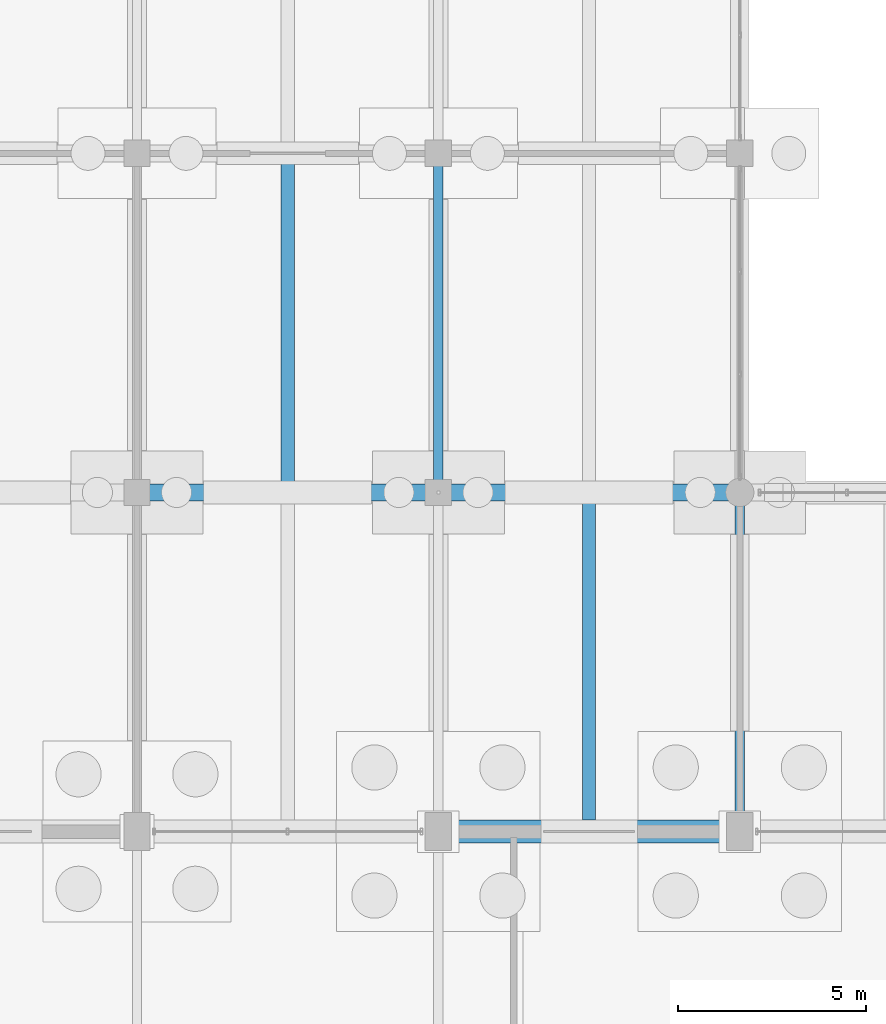
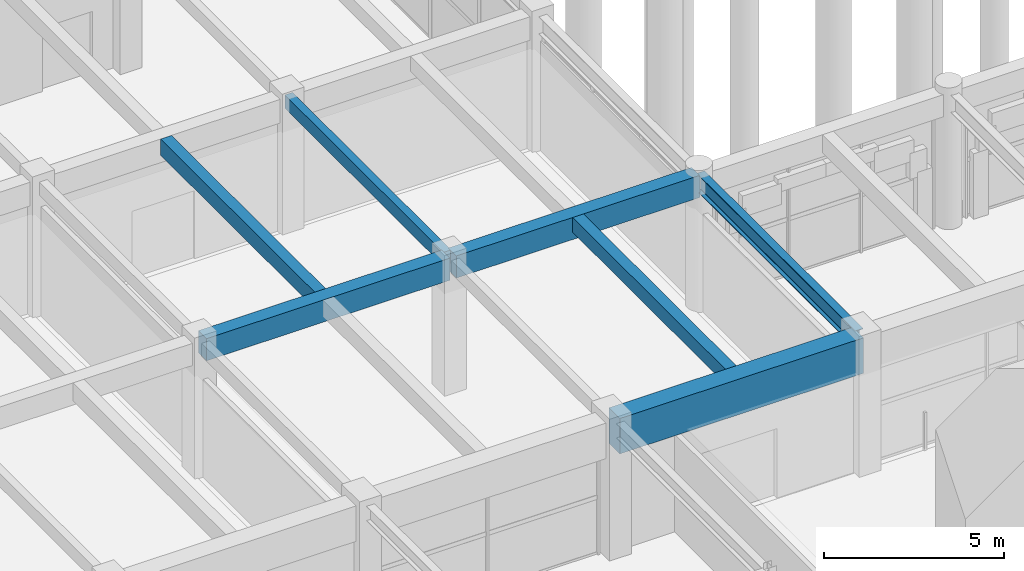
# One storey, part 49 of 147: 7 beams.
"""IFC4 building model written with IfcOpenShell, lengths in metres."""

from ifc_helpers import new_model, si_unit, direction, frame, origin, origin_2d, place, context, subcontext, project, spatial, rectangle, i_section, extrude, material, material_profile, profile_set, type_object, element, save


model = new_model("IFC4")

# Units and contexts
model_context = context("Model", 3, precision=1e-05, world=origin(), true_north=direction((0.0, 1.0)))
body_context = subcontext(model_context, "Body", "Model", "MODEL_VIEW")
ifc_project = project(units=[si_unit("LENGTHUNIT", "METRE"), si_unit("AREAUNIT", "SQUARE_METRE"), si_unit("VOLUMEUNIT", "CUBIC_METRE"), si_unit("PLANEANGLEUNIT", "RADIAN"), si_unit("MASSUNIT", "GRAM", prefix="KILO")], contexts=[model_context])

# Site, building, storey
site_placement = place(None, origin())
site = spatial("IfcSite", under=ifc_project, at=site_placement, CompositionType="ELEMENT")
building_placement = place(site_placement, origin())
building = spatial("IfcBuilding", under=site, at=building_placement, Name="Varnabhumi Central Station", CompositionType="ELEMENT")
storey_placement = place(building_placement, origin())
storey = spatial("IfcBuildingStorey", under=building, at=storey_placement, Name="L00", CompositionType="ELEMENT", Elevation=0.0)

# Beams
ifc_material_1 = material(Name="Concrete M50", Category="concrete")
ifc_material_profile_1 = material_profile(ifc_material_1, rectangle(XDim=0.60009765625, YDim=1.199951171875, at=origin_2d()), Name="Concrete M50", Category="concrete")
ifc_profile_set_1 = profile_set([ifc_material_profile_1], Name="Concrete M50")
beam_type_1 = type_object("IfcBeamType", Name="BM-RC-1200x600", PredefinedType="BEAM", material=ifc_profile_set_1)
beam_1_placement = place(storey_placement, frame((40.10009765625, 80.0, 3.949951171875), z_axis=(1.0, 0.0, 0.0), x_axis=(0.0, 1.0, 0.0)))
element("IfcBeam", 1, at=beam_1_placement, inside=storey, type_object=beam_type_1, Name="Beam L00-K:6-7", PredefinedType="BEAM", context=body_context, shape_type="SweptSolid", body=[
    extrude(rectangle(XDim=0.60009765625, YDim=1.199951171875, at=origin_2d()), origin(), (0.0, 0.0, 1.0), 7.7998046875),
])
ifc_material_2 = material(Name="Concrete M35", Category="concrete")
ifc_material_profile_2 = material_profile(ifc_material_2, rectangle(XDim=0.25, YDim=0.449951171875, at=origin_2d()), Name="Concrete M35", Category="concrete")
ifc_profile_set_2 = profile_set([ifc_material_profile_2], Name="Concrete M35")
beam_type_2 = type_object("IfcBeamType", Name="BM-RC-250x450", PredefinedType="LINTEL", material=ifc_profile_set_2)
beam_2_placement = place(storey_placement, frame((40.0, 89.10009765625, 4.324951171875), z_axis=(0.0, 1.0, 0.0), x_axis=(-1.0, 0.0, 0.0)))
element("IfcBeam", 2, at=beam_2_placement, inside=storey, type_object=beam_type_2, Name="Beam L00-6:L-M", PredefinedType="LINTEL", context=body_context, shape_type="SweptSolid", body=[
    extrude(rectangle(XDim=0.25, YDim=0.449951171875, at=origin_2d()), origin(), (0.0, 0.0, 1.0), 8.7998046875),
])
ifc_material_3 = material(Name="Concrete M40", Category="concrete")
ifc_material_profile_3 = material_profile(ifc_material_3, rectangle(XDim=0.35009765625, YDim=0.5, at=origin_2d()), Name="Concrete M40", Category="concrete")
ifc_profile_set_3 = profile_set([ifc_material_profile_3], Name="Concrete M40")
beam_type_3 = type_object("IfcBeamType", Name="BM-RC-350x500", PredefinedType="JOIST", material=ifc_profile_set_3)
beam_3_placement = place(storey_placement, frame((44.0, 80.300048828125, 4.300048828125), z_axis=(0.0, 1.0, 0.0), x_axis=(-1.0, 0.0, 0.0)))
element("IfcBeam", 3, at=beam_3_placement, inside=storey, type_object=beam_type_3, Name="Secondary Joist L00-6/7:K-L", PredefinedType="JOIST", context=body_context, shape_type="SweptSolid", body=[
    extrude(rectangle(XDim=0.35009765625, YDim=0.5, at=origin_2d()), origin(), (0.0, 0.0, 1.0), 8.474853515625),
])
ifc_material_profile_4 = material_profile(ifc_material_3, rectangle(XDim=0.35009765625, YDim=0.550048828125, at=origin_2d()), Name="Concrete M40", Category="concrete")
ifc_profile_set_4 = profile_set([ifc_material_profile_4], Name="Concrete M40")
beam_type_4 = type_object("IfcBeamType", Name="BM-RC-350x550", PredefinedType="JOIST", material=ifc_profile_set_4)
beam_4_placement = place(storey_placement, frame((36.0, 89.22509765625, 4.27490234375), z_axis=(0.0, 1.0, 0.0), x_axis=(-1.0, 0.0, 0.0)))
element("IfcBeam", 4, at=beam_4_placement, inside=storey, type_object=beam_type_4, Name="Secondary Joist L00-5/6:L-M", PredefinedType="JOIST", context=body_context, shape_type="SweptSolid", body=[
    extrude(rectangle(XDim=0.35009765625, YDim=0.550048828125, at=origin_2d()), origin(), (0.0, 0.0, 1.0), 8.5498046875),
])
ifc_material_profile_5 = material_profile(ifc_material_3, rectangle(XDim=0.449951171875, YDim=0.75, at=origin_2d()), Name="Concrete M40", Category="concrete")
ifc_profile_set_5 = profile_set([ifc_material_profile_5], Name="Concrete M40")
beam_type_5 = type_object("IfcBeamType", Name="BM-RC-450x750", PredefinedType="BEAM", material=ifc_profile_set_5)
for number, where, z_axis, x_axis, name in (
    (5, (32.10009765625, 89.0, 4.175048828125), (1.0, 0.0, 0.0), (0.0, 1.0, 0.0), "Beam L00-L:5-6"),
    (6, (40.10009765625, 89.0, 4.175048828125), (1.0, 0.0, 0.0), (0.0, 1.0, 0.0), "Beam L00-L:6-7"),
):
    element("IfcBeam", number, at=place(storey_placement, frame(where, z_axis=z_axis, x_axis=x_axis)), inside=storey, type_object=beam_type_5, Name=name, PredefinedType="BEAM", context=body_context, shape_type="SweptSolid", body=[
        extrude(rectangle(XDim=0.449951171875, YDim=0.75, at=origin_2d()), origin(), (0.0, 0.0, 1.0), 7.7998046875),
    ])
ifc_material_4 = material(Name="Structural steel E350", Category="steel")
ifc_material_profile_6 = material_profile(ifc_material_4, i_section(OverallWidth=0.25, OverallDepth=0.60009765625, WebThickness=0.01171875, FlangeThickness=0.023681640625, FilletRadius=0.01708984375, at=origin_2d()), Name="Structural steel E350", Category="steel")
ifc_profile_set_6 = profile_set([ifc_material_profile_6], Name="Structural steel E350")
beam_type_6 = type_object("IfcBeamType", Name="BM-SEC-ISWB600", PredefinedType="BEAM", material=ifc_profile_set_6)
beam_5_placement = place(storey_placement, frame((48.0, 80.10009765625, 4.25), z_axis=(0.0, 1.0, 0.0), x_axis=(-1.0, 0.0, 0.0)))
element("IfcBeam", 7, at=beam_5_placement, inside=storey, type_object=beam_type_6, Name="Beam L00-7:K-L", PredefinedType="BEAM", context=body_context, shape_type="SweptSolid", body=[
    extrude(i_section(OverallWidth=0.25, OverallDepth=0.60009765625, WebThickness=0.01171875, FlangeThickness=0.023681640625, FilletRadius=0.01708984375, at=origin_2d()), origin(), (0.0, 0.0, 1.0), 8.7998046875),
])

save(model, "model.ifc")
